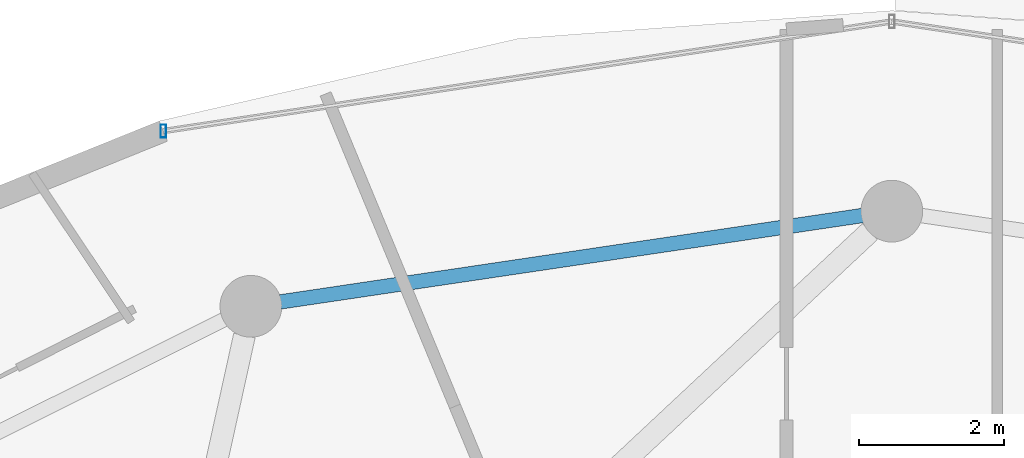
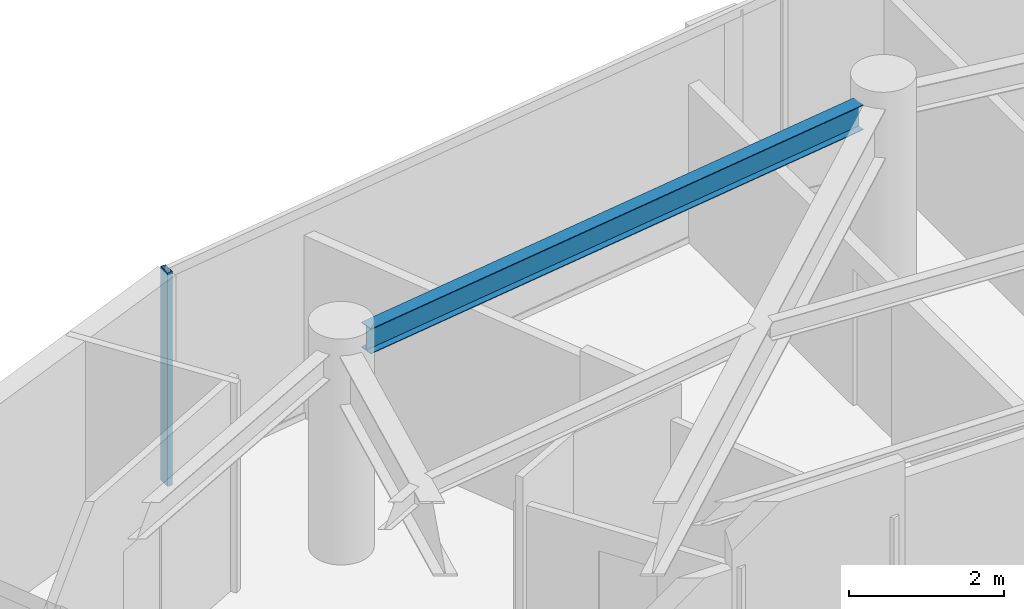
# One storey, part 18 of 31: 1 beam, 1 member, 1 element without a shape of its own.
"""IFC4 building model written with IfcOpenShell, lengths in metres."""

from ifc_helpers import new_model, si_unit, direction, frame, origin, origin_2d, place, context, subcontext, project, spatial, hollow_rectangle, i_section, extrude, material, material_profile, profile_set, type_object, element, aggregate, save


model = new_model("IFC4")

# Units and contexts
model_context = context("Model", 3, precision=1e-05, world=origin(), true_north=direction((0.0, 1.0)))
body_context = subcontext(model_context, "Body", "Model", "MODEL_VIEW")
ifc_project = project(units=[si_unit("LENGTHUNIT", "METRE"), si_unit("AREAUNIT", "SQUARE_METRE"), si_unit("VOLUMEUNIT", "CUBIC_METRE"), si_unit("PLANEANGLEUNIT", "RADIAN"), si_unit("MASSUNIT", "GRAM", prefix="KILO")], contexts=[model_context])

# Site, building, storey
site_placement = place(None, origin())
site = spatial("IfcSite", under=ifc_project, at=site_placement, CompositionType="ELEMENT")
building_placement = place(site_placement, origin())
building = spatial("IfcBuilding", under=site, at=building_placement, Name="Vorneva Point Tower", CompositionType="ELEMENT")
storey_placement = place(building_placement, frame((0.0, 0.0, 248.449951171875)))
storey = spatial("IfcBuildingStorey", under=building, at=storey_placement, Name="L67", CompositionType="ELEMENT", Elevation=248.449951171875)

# Beam
ifc_material_1 = material(Name="Steel S355", Category="steel")
ifc_material_profile_1 = material_profile(ifc_material_1, i_section(OverallWidth=0.198974609375, OverallDepth=0.39599609375, WebThickness=0.007080078125, FlangeThickness=0.010986328125, at=origin_2d()), Name="40B1")
ifc_profile_set_1 = profile_set([ifc_material_profile_1], Name="Steel S355")
beam_type = type_object("IfcBeamType", Name="BM-SPN-40B1", PredefinedType="SPANDREL", material=ifc_profile_set_1)
beam_placement = place(storey_placement, frame((37.594482421875, 43.139892578125, 3.092041015625), z_axis=(-0.989161657331, -0.146830567886, 0.0), x_axis=(0.146830567886, -0.989161657331, 0.0)))
element("IfcBeam", 1, at=beam_placement, inside=storey, type_object=beam_type, Name="L67 Perimeter Spandrel Ring Beam 05", PredefinedType="SPANDREL", context=body_context, shape_type="SweptSolid", body=[
    extrude(i_section(OverallWidth=0.198974609375, OverallDepth=0.39599609375, WebThickness=0.007080078125, FlangeThickness=0.010986328125, at=origin_2d()), origin(), (0.0, 0.0, 1.0), 8.097412109375),
])

# Curtain wall, member
ifc_material_2 = material(Name="Pale anodised aluminium", Category="aluminium")
curtain_wall_type = type_object("IfcCurtainWallType", Name="CW-RES-SYS", PredefinedType="NOTDEFINED", material=ifc_material_2)
curtain_wall_placement = place(storey_placement, origin())
curtain_wall = element("IfcCurtainWall", 2, at=curtain_wall_placement, inside=storey, type_object=curtain_wall_type, Name="L67 Unitised Curtain Wall CW-L67-R02", PredefinedType="NOTDEFINED")
ifc_material_profile_2 = material_profile(ifc_material_2, hollow_rectangle(XDim=0.074951171875, YDim=0.179931640625, WallThickness=0.00390625, at=origin_2d()), Name="AL-MUL 180x75x4")
ifc_profile_set_2 = profile_set([ifc_material_profile_2], Name="Pale anodised aluminium")
member_type = type_object("IfcMemberType", Name="CW-MUL-180", PredefinedType="MULLION", material=ifc_profile_set_2)
member_placement = place(storey_placement, frame((27.9736328125, 44.302001953125, -0.0400390625), z_axis=(0.0, 0.0, 1.0), x_axis=(1.0, 0.0, 0.0)))
member = element("IfcMember", 3, at=member_placement, type_object=member_type, Name="CW-L67-R02 Mullion 04", PredefinedType="MULLION", context=body_context, shape_type="SweptSolid", body=[
    extrude(hollow_rectangle(XDim=0.074951171875, YDim=0.179931640625, WallThickness=0.00390625, at=origin_2d()), origin(), (0.0, 0.0, 1.0), 3.360107421875),
])
aggregate(curtain_wall, [member])

save(model, "model.ifc")
